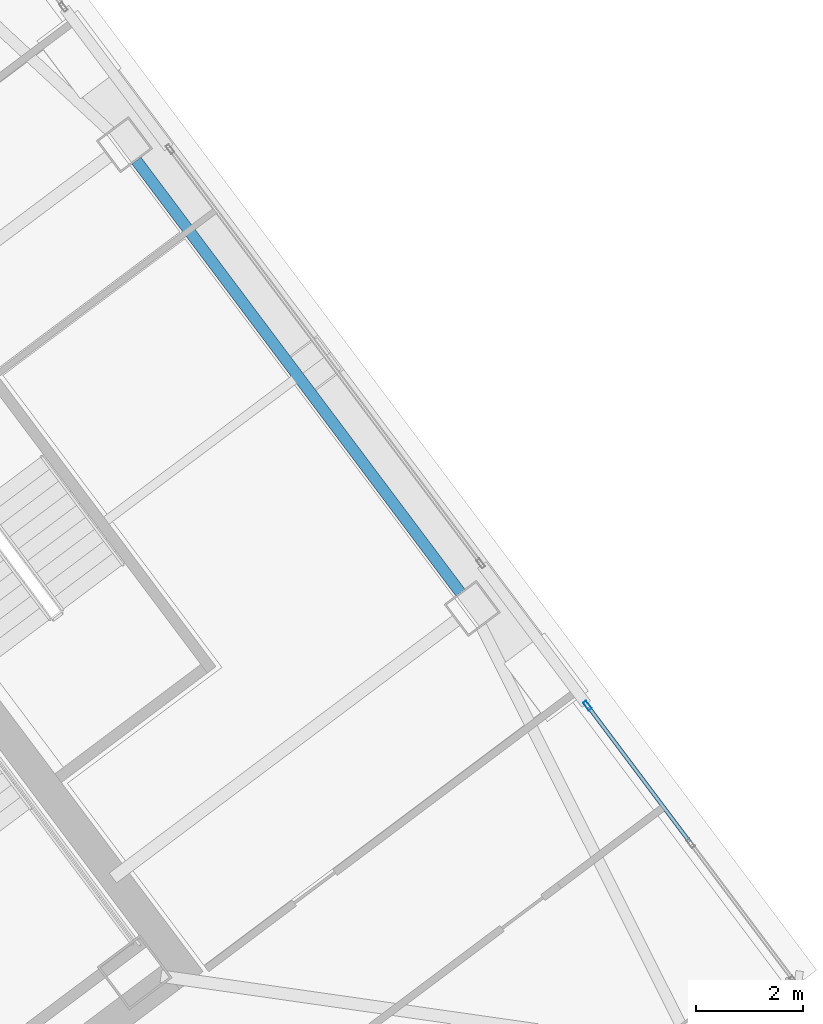
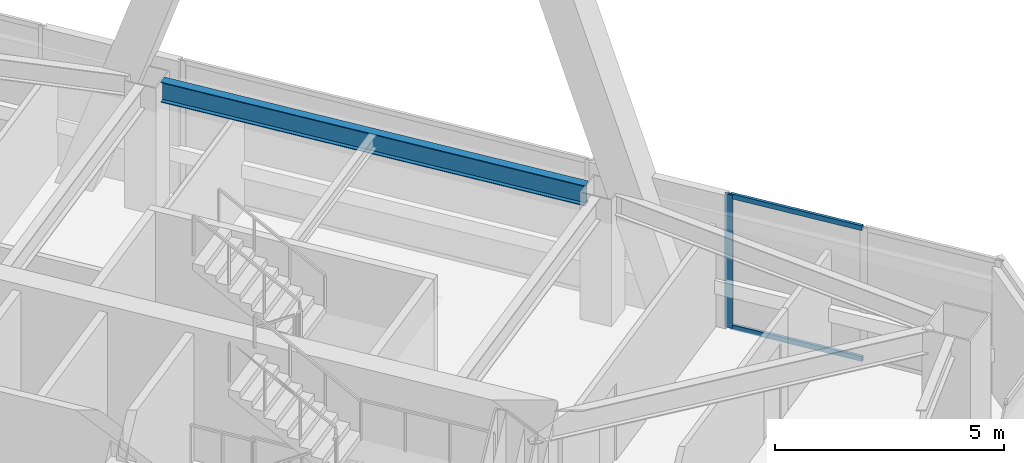
# One storey, part 36 of 55: 3 members, 1 beam, 1 element without a shape of its own.
"""IFC4 building model written with IfcOpenShell, lengths in metres."""

from ifc_helpers import new_model, si_unit, direction, frame, origin, origin_2d, place, context, subcontext, project, spatial, hollow_rectangle, i_section, extrude, material, material_profile, profile_set, type_object, element, aggregate, save


model = new_model("IFC4")

# Units and contexts
model_context = context("Model", 3, precision=1e-05, world=origin(), true_north=direction((0.0, 1.0)))
body_context = subcontext(model_context, "Body", "Model", "MODEL_VIEW")
ifc_project = project(units=[si_unit("LENGTHUNIT", "METRE"), si_unit("AREAUNIT", "SQUARE_METRE"), si_unit("VOLUMEUNIT", "CUBIC_METRE"), si_unit("PLANEANGLEUNIT", "RADIAN"), si_unit("MASSUNIT", "GRAM", prefix="KILO")], contexts=[model_context])

# Site, building, storey
site_placement = place(None, origin())
site = spatial("IfcSite", under=ifc_project, at=site_placement, CompositionType="ELEMENT")
building_placement = place(site_placement, origin())
building = spatial("IfcBuilding", under=site, at=building_placement, Name="Tashvorn Skyway Center", CompositionType="ELEMENT")
storey_placement = place(building_placement, frame((0.0, 0.0, 178.300048828125)))
storey = spatial("IfcBuildingStorey", under=building, at=storey_placement, Name="L48", CompositionType="ELEMENT", Elevation=178.300048828125)

# Beam
ifc_material_1 = material(Name="Steel ASTM A992 Grade 50", Category="steel")
ifc_material_profile_1 = material_profile(ifc_material_1, i_section(OverallWidth=0.2109375, OverallDepth=0.5390625, WebThickness=0.01171875, FlangeThickness=0.018798828125, at=origin_2d()), Name="W21X73")
ifc_profile_set_1 = profile_set([ifc_material_profile_1], Name="Steel ASTM A992 Grade 50")
beam_type = type_object("IfcBeamType", Name="BM-SPANDREL-W21X73", PredefinedType="SPANDREL", material=ifc_profile_set_1)
beam_placement = place(storey_placement, frame((129.93798828125, 37.666015625, 3.100341796875), z_axis=(-0.599988351091, 0.800008736549, 0.0), x_axis=(-0.800008736549, -0.599988351091, 0.0)))
element("IfcBeam", 1, at=beam_placement, inside=storey, type_object=beam_type, Name="Tower 2 L48 Spandrel Beam 05", PredefinedType="SPANDREL", context=body_context, shape_type="SweptSolid", body=[
    extrude(i_section(OverallWidth=0.2109375, OverallDepth=0.5390625, WebThickness=0.01171875, FlangeThickness=0.018798828125, at=origin_2d()), origin(), (0.0, 0.0, 1.0), 10.06005859375),
])

# Curtain wall, members
ifc_material_2 = material(Name="Thermally broken bronze-anodized aluminium 6063-T6", Category="aluminium")
curtain_wall_type = type_object("IfcCurtainWallType", Name="CW-CW-Z4", PredefinedType="NOTDEFINED", material=ifc_material_2)
curtain_wall_placement = place(storey_placement, origin())
curtain_wall = element("IfcCurtainWall", 2, at=curtain_wall_placement, inside=storey, type_object=curtain_wall_type, Name="Tower 2 L48 East Unitised Curtain Wall Glazing Group 3", PredefinedType="NOTDEFINED")
ifc_material_profile_2 = material_profile(ifc_material_2, hollow_rectangle(XDim=0.070068359375, YDim=0.179931640625, WallThickness=0.00390625, at=origin_2d()), Name="ALU-MULL-70x180")
ifc_profile_set_2 = profile_set([ifc_material_profile_2], Name="Thermally broken bronze-anodized aluminium 6063-T6")
member_type_1 = type_object("IfcMemberType", Name="CWM-CW-Z4", PredefinedType="MULLION", material=ifc_profile_set_2)
member_1_placement = place(storey_placement, frame((132.304931640625, 35.56005859375, 0.0), z_axis=(0.0, 0.0, 1.0), x_axis=(0.799999999998, 0.600000000002, 0.0)))
member_1 = element("IfcMember", 3, at=member_1_placement, type_object=member_type_1, Name="CW-Z4 mullion 1", PredefinedType="MULLION", context=body_context, shape_type="SweptSolid", body=[
    extrude(hollow_rectangle(XDim=0.070068359375, YDim=0.179931640625, WallThickness=0.00390625, at=origin_2d()), origin(), (0.0, 0.0, 1.0), 3.550048828125),
])
ifc_material_profile_3 = material_profile(ifc_material_2, hollow_rectangle(XDim=0.070068359375, YDim=0.1298828125, WallThickness=0.00390625, at=origin_2d()), Name="ALU-TRAN-70x130")
ifc_profile_set_3 = profile_set([ifc_material_profile_3], Name="Thermally broken bronze-anodized aluminium 6063-T6")
member_type_2 = type_object("IfcMemberType", Name="CWT-CW-Z4", PredefinedType="USERDEFINED", material=ifc_profile_set_3)
member_2_placement = place(storey_placement, frame((132.325927734375, 35.531982421875, 0.034912109375), z_axis=(0.600012459628, -0.799990655127, 0.0), x_axis=(0.799990655127, 0.600012459628, 0.0)))
member_2 = element("IfcMember", 4, at=member_2_placement, type_object=member_type_2, Name="CW-Z4 transom 1.1", ObjectType="TRANSOM", PredefinedType="USERDEFINED", context=body_context, shape_type="SweptSolid", body=[
    extrude(hollow_rectangle(XDim=0.070068359375, YDim=0.1298828125, WallThickness=0.00390625, at=origin_2d()), origin(), (0.0, 0.0, 1.0), 3.135009765625),
])
member_3_placement = place(storey_placement, frame((132.325927734375, 35.531982421875, 3.514892578125), z_axis=(0.600012459628, -0.799990655127, 0.0), x_axis=(0.799990655127, 0.600012459628, 0.0)))
member_3 = element("IfcMember", 5, at=member_3_placement, type_object=member_type_2, Name="CW-Z4 transom 1.2", ObjectType="TRANSOM", PredefinedType="USERDEFINED", context=body_context, shape_type="SweptSolid", body=[
    extrude(hollow_rectangle(XDim=0.070068359375, YDim=0.1298828125, WallThickness=0.00390625, at=origin_2d()), origin(), (0.0, 0.0, 1.0), 3.135009765625),
])
aggregate(curtain_wall, [member_1, member_2, member_3])

save(model, "model.ifc")
